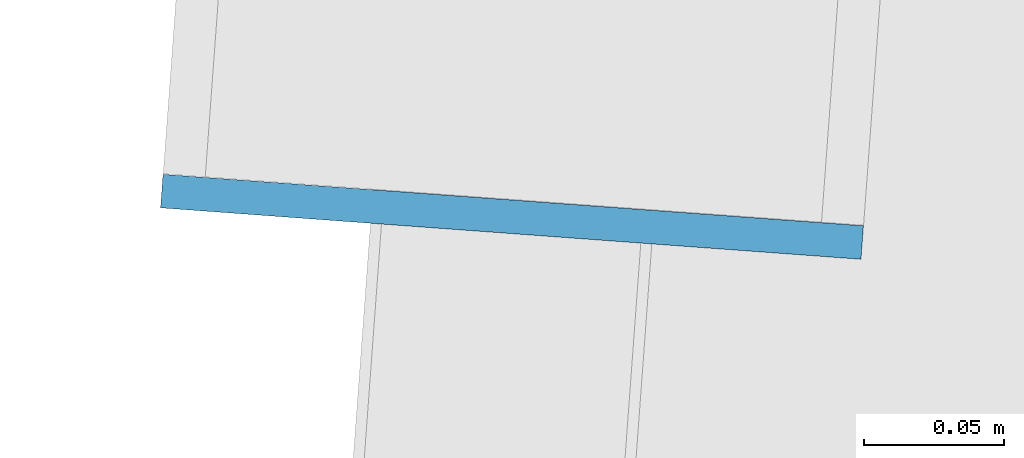
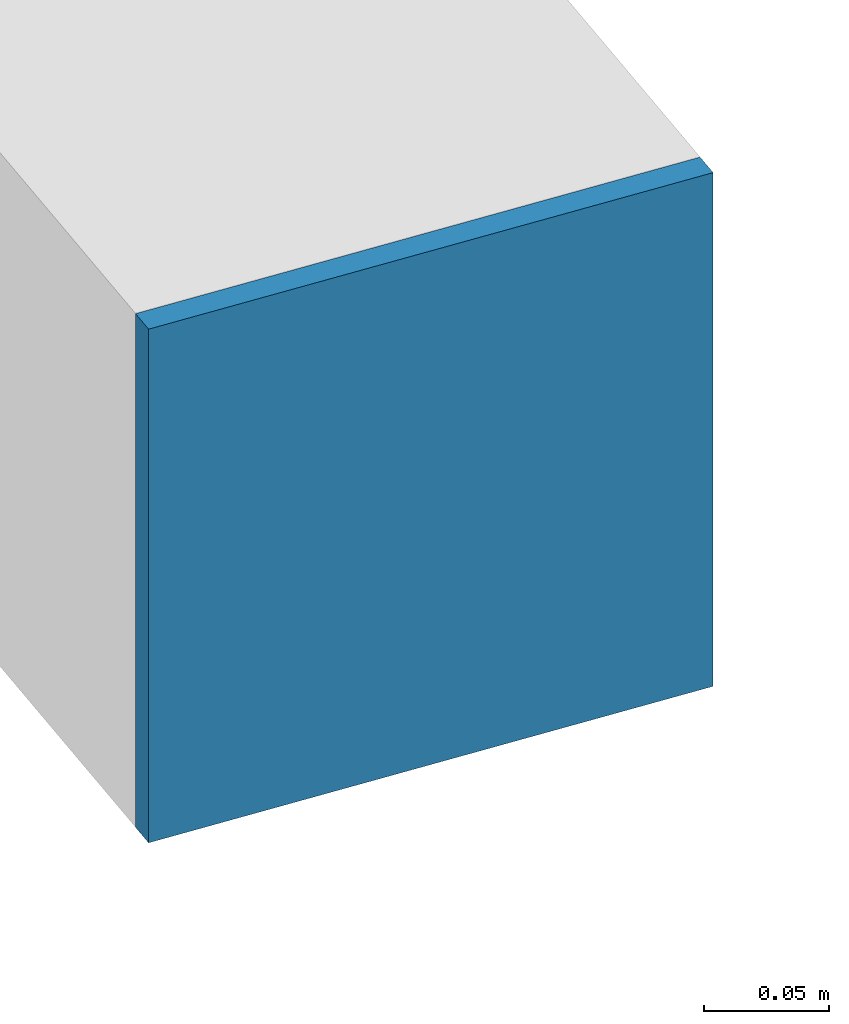
# One storey, part 26 of 36: 1 plate.
"""IFC4 building model written with IfcOpenShell, lengths in metres."""

from ifc_helpers import new_model, si_unit, direction, frame, origin, origin_2d, place, context, subcontext, project, spatial, rectangle, extrude, source, transform, mapped, material, layer, layer_set, type_object, element, save


model = new_model("IFC4")

# Units and contexts
model_context = context("Model", 3, precision=1e-05, world=origin(), true_north=direction((0.0, 1.0)))
body_context = subcontext(model_context, "Body", "Model", "MODEL_VIEW")
ifc_project = project(units=[si_unit("LENGTHUNIT", "METRE"), si_unit("AREAUNIT", "SQUARE_METRE"), si_unit("VOLUMEUNIT", "CUBIC_METRE"), si_unit("PLANEANGLEUNIT", "RADIAN"), si_unit("MASSUNIT", "GRAM", prefix="KILO")], contexts=[model_context])

# Site, building, storey
site_placement = place(None, origin())
site = spatial("IfcSite", under=ifc_project, at=site_placement, CompositionType="ELEMENT")
building_placement = place(site_placement, origin())
building = spatial("IfcBuilding", under=site, at=building_placement, Name="Taldren Reach Tower", CompositionType="ELEMENT")
storey_placement = place(building_placement, frame((0.0, 0.0, 227.14990234375)))
storey = spatial("IfcBuildingStorey", under=building, at=storey_placement, Name="L69", CompositionType="ELEMENT", Elevation=227.14990234375)

# Plate
ifc_material = material(Name="Steel Gr 350 (C350L0)", Category="steel")
ifc_layer = layer(ifc_material, 0.011962890625)
ifc_layer_set = layer_set([ifc_layer], Name="Steel Gr 350 (C350L0)")
plate_type = type_object("IfcPlateType", Name="PL-CAP-250", PredefinedType="SHEET", material=ifc_layer_set)
shared_shape = source(origin(), body_context, "Body", "SweptSolid", [
    extrude(rectangle(XDim=0.25, YDim=0.011962890625, at=origin_2d()), origin(), (0.0, 0.0, 1.0), 0.25),
])
plate_placement = place(storey_placement, frame((37.406494140625, 3.264892578125, 0.09521484375), z_axis=(0.0, 0.0, 1.0), x_axis=(0.997314477224, -0.073238197128, 0.0)))
element("IfcPlate", 1, at=plate_placement, inside=storey, type_object=plate_type, Name="Tie strut end cap plate B5-S4 L69", PredefinedType="SHEET", context=body_context, shape_type="MappedRepresentation", body=[
    mapped(shared_shape, transform((0.0, 0.0, 0.0), scale=1.0)),
])

save(model, "model.ifc")
